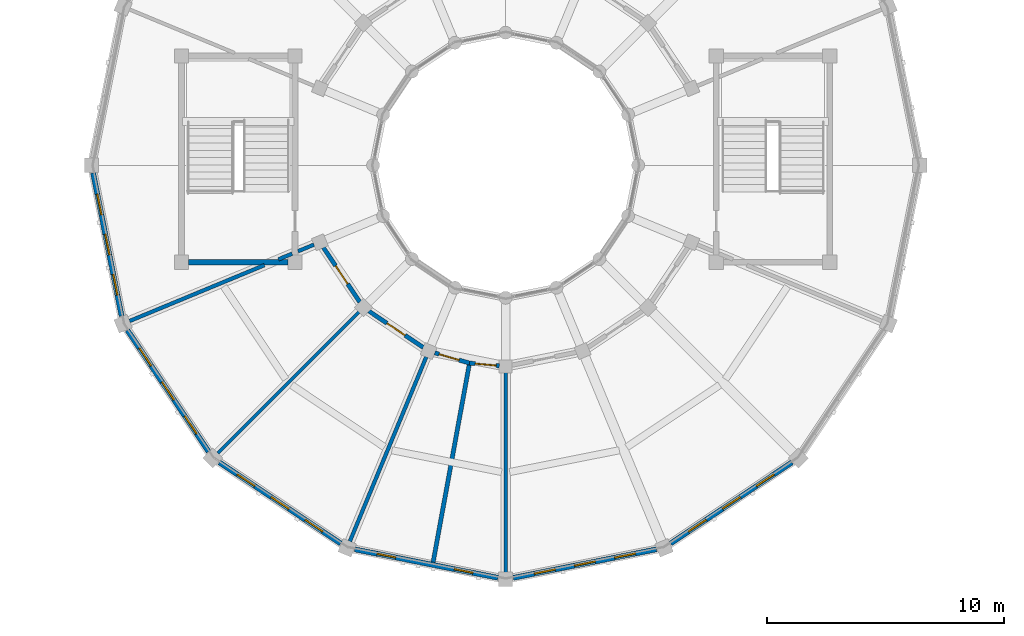
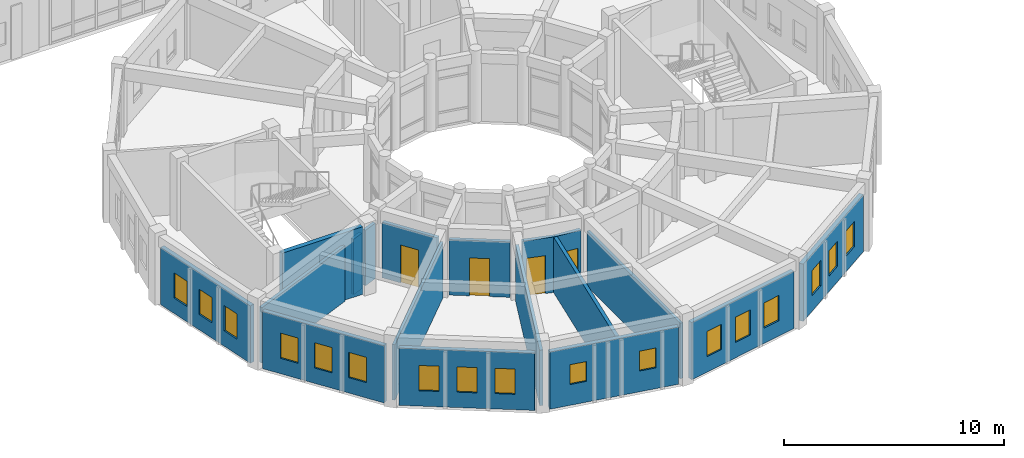
# One storey, part 73 of 112: 18 walls, 17 windows, 4 doors, 21 openings.
"""IFC4 building model written with IfcOpenShell, lengths in metres."""

import ifcopenshell
import ifcopenshell.guid

model = None  # the IFC model being written
_history = None  # IfcOwnerHistory: only IFC2X3 demands one
_inside = {}  # id of a spatial element -> (the spatial element, [elements in it])
_under = {}  # id of a project, library or spatial element -> (it, [spatial elements below it])
_declared = {}  # id of a project -> (the project, [libraries it declares])
_typed = {}  # id of a type object -> (the type object, [elements of that type])
_made_of = {}  # id of a material, layer set ... -> (it, [elements and type objects made of it])


def new_model(schema):
    """Start an empty IFC model of exactly this schema.

    Asked for "IFC4X3", IfcOpenShell would pick the latest addendum, in which some entities
    have other attributes; the version numbers below select the first issue.
    IFC2X3 requires an IfcOwnerHistory on every rooted entity: one is made here for all.
    """
    global model, _history
    if schema == "IFC4X3":
        model = ifcopenshell.file(schema_version=(4, 3, 0, 0))
    else:
        model = ifcopenshell.file(schema=schema)
    _inside.clear()
    _under.clear()
    _declared.clear()
    _typed.clear()
    _made_of.clear()
    _history = None
    if model.schema == "IFC2X3":
        org = make("IfcOrganization", Name="unknown")
        user = make(
            "IfcPersonAndOrganization",
            ThePerson=make("IfcPerson", FamilyName="unknown"),
            TheOrganization=org,
        )
        app = make(
            "IfcApplication",
            ApplicationDeveloper=org,
            Version="unknown",
            ApplicationFullName="unknown",
            ApplicationIdentifier="unknown",
        )
        _history = make(
            "IfcOwnerHistory",
            OwningUser=user,
            OwningApplication=app,
            ChangeAction="ADDED",
            CreationDate=0,
        )
    return model


def make(cls, **values):
    """One entity of the class cls with the attributes given. An attribute that is None is left unset."""
    return model.create_entity(
        cls, **{name: value for name, value in values.items() if value is not None}
    )


def rooted(cls, **values):
    """An entity with a GlobalId (a new one), such as an element, a storey or a relation."""
    return make(cls, GlobalId=ifcopenshell.guid.new(), OwnerHistory=_history, **values)


def si_unit(unit_type, name, prefix=None):
    """IfcSIUnit, for example si_unit("LENGTHUNIT", "METRE", prefix="MILLI")."""
    return make("IfcSIUnit", UnitType=unit_type, Prefix=prefix, Name=name)


def assignment(units):
    """IfcUnitAssignment: the units of a project."""
    return None if units is None else make("IfcUnitAssignment", Units=units)


def point(xyz):
    """IfcCartesianPoint."""
    return None if xyz is None else make("IfcCartesianPoint", Coordinates=xyz)


def direction(xyz):
    """IfcDirection."""
    return None if xyz is None else make("IfcDirection", DirectionRatios=xyz)


def frame(location, z_axis=None, x_axis=None):
    """IfcAxis2Placement3D, a coordinate frame: its origin and axes. An axis left out is left unset."""
    return make(
        "IfcAxis2Placement3D",
        Location=point(location),
        Axis=direction(z_axis),
        RefDirection=direction(x_axis),
    )


def frame_2d(location, x_axis=None):
    """IfcAxis2Placement2D, a coordinate frame in the plane: its origin and x axis."""
    return make(
        "IfcAxis2Placement2D", Location=point(location), RefDirection=direction(x_axis)
    )


def origin():
    """The frame at (0, 0, 0) with its axes left unset."""
    return frame((0.0, 0.0, 0.0))


def place(relative_to, where):
    """IfcLocalPlacement: puts the frame where relative to a parent placement (None: the world)."""
    return make(
        "IfcLocalPlacement", PlacementRelTo=relative_to, RelativePlacement=where
    )


def context(
    kind, dimensions, precision=None, world=None, true_north=None, identifier=None
):
    """IfcGeometricRepresentationContext, for example the 3D "Model" context."""
    return make(
        "IfcGeometricRepresentationContext",
        ContextIdentifier=identifier,
        ContextType=kind,
        CoordinateSpaceDimension=dimensions,
        Precision=precision,
        WorldCoordinateSystem=world,
        TrueNorth=true_north,
    )


def subcontext(parent, identifier, kind, view, scale=None):
    """IfcGeometricRepresentationSubContext, for example "Body" below "Model"."""
    return make(
        "IfcGeometricRepresentationSubContext",
        ContextIdentifier=identifier,
        ContextType=kind,
        ParentContext=parent,
        TargetScale=scale,
        TargetView=view,
    )


def project(units=None, contexts=None):
    """IfcProject with its units and contexts."""
    return rooted(
        "IfcProject",
        Name="project",
        RepresentationContexts=contexts,
        UnitsInContext=assignment(units),
    )


def spatial(cls, under=None, at=None, **own):
    """A site, building, storey or space (cls), placed at a placement, below another one or the project."""
    s = rooted(cls, ObjectPlacement=at, **own)
    if under is not None:
        _under.setdefault(under.id(), (under, []))[1].append(s)
    return s


def profile(cls, at=None, kind="AREA", **sizes):
    """A parametric profile (cls). Its sizes go by their IFC names, for example OverallWidth=200.0."""
    return make(cls, ProfileType=kind, Position=at, **sizes)


def rectangle(**sizes):
    """IfcRectangleProfileDef."""
    return profile("IfcRectangleProfileDef", **sizes)


def extrude(swept, where, along, depth):
    """IfcExtrudedAreaSolid: the profile swept, set in the frame where, extruded along a direction by depth."""
    return make(
        "IfcExtrudedAreaSolid",
        SweptArea=swept,
        Position=where,
        ExtrudedDirection=direction(along),
        Depth=depth,
    )


def shape(context_of_items, identifier, shape_type, items):
    """IfcShapeRepresentation: the items that make up one representation, for example the "Body"."""
    return make(
        "IfcShapeRepresentation",
        ContextOfItems=context_of_items,
        RepresentationIdentifier=identifier,
        RepresentationType=shape_type,
        Items=items,
    )


def material(Name=None, Category=None):
    """IfcMaterial."""
    return make("IfcMaterial", Name=Name, Category=Category)


def layer(
    of_material, thickness, ventilated=None, Name=None, Category=None, Priority=None
):
    """IfcMaterialLayer: one layer of a wall or slab, of a material (None: an air gap)."""
    return make(
        "IfcMaterialLayer",
        Material=of_material,
        LayerThickness=thickness,
        IsVentilated=ventilated,
        Name=Name,
        Category=Category,
        Priority=Priority,
    )


def layer_set(layers, Name=None):
    """IfcMaterialLayerSet."""
    return make("IfcMaterialLayerSet", MaterialLayers=layers, LayerSetName=Name)


def made_of(thing, what):
    """Note that an element or type object is made of a material, layer set ...; save() writes the relation."""
    if what is not None:
        _made_of.setdefault(what.id(), (what, []))[1].append(thing)
    return thing


def type_object(cls, material=None, **own):
    """A type object (cls), such as IfcWallType, which elements share."""
    return made_of(rooted(cls, **own), material)


def element(
    cls,
    number,
    at=None,
    inside=None,
    cuts=None,
    type_object=None,
    material=None,
    context=None,
    identifier="Body",
    shape_type=None,
    held_by="IfcProductDefinitionShape",
    body=None,
    shapes=None,
    **own,
):
    """One element of the class cls, such as IfcWall. Its Tag is "e" and its number.

    at: its placement. inside: the storey or other place that contains it. cuts: it is an
    opening in that element (IfcRelVoidsElement). A single representation is given by context,
    identifier, shape_type and body (its items); several are given by shapes. held_by: the class
    of the entity that holds the representations. save() writes the other relations.
    """
    e = rooted(cls, Tag="e%d" % number, ObjectPlacement=at, **own)
    if body is not None:
        shapes = [shape(context, identifier, shape_type, body)]
    if shapes is not None:
        e.Representation = make(held_by, Representations=shapes)
    if inside is not None:
        _inside.setdefault(inside.id(), (inside, []))[1].append(e)
    if cuts is not None:
        rooted(
            "IfcRelVoidsElement", RelatingBuildingElement=cuts, RelatedOpeningElement=e
        )
    if type_object is not None:
        _typed.setdefault(type_object.id(), (type_object, []))[1].append(e)
    return made_of(e, material)


def fill(opening, filler):
    """IfcRelFillsElement: the door or window that sits in an opening."""
    return rooted(
        "IfcRelFillsElement",
        RelatingOpeningElement=opening,
        RelatedBuildingElement=filler,
    )


def aggregate(whole, parts):
    """IfcRelAggregates: a whole, such as a stair, and the parts it consists of."""
    return rooted("IfcRelAggregates", RelatingObject=whole, RelatedObjects=parts)


def save(model, path):
    """Write the relations noted so far, then the file.

    IfcRelAggregates (storeys below a building ...), IfcRelContainedInSpatialStructure (elements
    in a storey), IfcRelDefinesByType, IfcRelAssociatesMaterial and IfcRelDeclares: one each for
    every whole, place, type object, material and project.
    """
    for whole, parts in _under.values():
        aggregate(whole, parts)
    for where, things in _inside.values():
        rooted(
            "IfcRelContainedInSpatialStructure",
            RelatedElements=things,
            RelatingStructure=where,
        )
    for kind, things in _typed.values():
        rooted("IfcRelDefinesByType", RelatedObjects=things, RelatingType=kind)
    for what, things in _made_of.values():
        rooted("IfcRelAssociatesMaterial", RelatedObjects=things, RelatingMaterial=what)
    for by, libraries in _declared.values():
        rooted("IfcRelDeclares", RelatingContext=by, RelatedDefinitions=libraries)
    model.write(path)


model = new_model("IFC4")

# Units and contexts
model_context = context("Model", 3, precision=1e-05, world=origin(), true_north=direction((0.0, 1.0)))
body_context = subcontext(model_context, "Body", "Model", "MODEL_VIEW")
ifc_project = project(units=[si_unit("LENGTHUNIT", "METRE"), si_unit("AREAUNIT", "SQUARE_METRE"), si_unit("VOLUMEUNIT", "CUBIC_METRE"), si_unit("PLANEANGLEUNIT", "RADIAN"), si_unit("MASSUNIT", "GRAM", prefix="KILO")], contexts=[model_context])

# Site, building, storey
site_placement = place(None, origin())
site = spatial("IfcSite", under=ifc_project, at=site_placement, CompositionType="ELEMENT")
building_placement = place(site_placement, origin())
building = spatial("IfcBuilding", under=site, at=building_placement, Name="Celadon Cloister-Ring School", CompositionType="ELEMENT")
storey_placement = place(building_placement, frame((0.0, 0.0, 8.5)))
storey = spatial("IfcBuildingStorey", under=building, at=storey_placement, Name="L02", CompositionType="ELEMENT", Elevation=8.5)

# Wall, openings, windows
ifc_material_1 = material(Name="Perforated terracotta clay brick masonry", Category="masonry")
ifc_layer_1 = layer(ifc_material_1, 0.219970703125)
ifc_layer_set_1 = layer_set([ifc_layer_1], Name="Perforated terracotta clay brick masonry")
wall_type_1 = type_object("IfcWallType", Name="WT-EX4", PredefinedType="SOLIDWALL", material=ifc_layer_set_1)
wall_1_placement = place(storey_placement, frame((3.968017578125, 13.6259765625, 0.0), z_axis=(0.0, 0.0, 1.0), x_axis=(-0.195164813773, 0.980770460131, 0.0)))
wall_1 = element("IfcWall", 1, at=wall_1_placement, inside=storey, type_object=wall_type_1, Name="Exterior Wall 0341", PredefinedType="SOLIDWALL", context=body_context, shape_type="SweptSolid", body=[
    extrude(rectangle(XDim=6.169677734375, YDim=0.219970703125, at=frame_2d((3.0849609375, 0.0))), origin(), (0.0, 0.0, 1.0), 3.172119140625),
])
opening_1_placement = place(wall_1_placement, frame((0.906982421875, 0.0, 0.85009765625)))
opening_1 = element("IfcOpeningElement", 2, at=opening_1_placement, cuts=wall_1, Name="Opening WN-21", PredefinedType="OPENING", context=body_context, shape_type="SweptSolid", body=[
    extrude(rectangle(XDim=0.89990234375, YDim=1.39990234375, at=frame_2d((0.449951171875, 0.699951171875))), frame((0.0, 0.1201171875, 0.0), z_axis=(0.0, -1.0, 0.0), x_axis=(1.0, 0.0, 0.0)), (0.0, 0.0, 1.0), 0.239990234375),
])
opening_2_placement = place(wall_1_placement, frame((2.635009765625, 0.0, 0.85009765625)))
opening_2 = element("IfcOpeningElement", 3, at=opening_2_placement, cuts=wall_1, Name="Opening WN-21", PredefinedType="OPENING", context=body_context, shape_type="SweptSolid", body=[
    extrude(rectangle(XDim=0.89990234375, YDim=1.39990234375, at=frame_2d((0.449951171875, 0.699951171875))), frame((0.0, 0.1201171875, 0.0), z_axis=(0.0, -1.0, 0.0), x_axis=(1.0, 0.0, 0.0)), (0.0, 0.0, 1.0), 0.239990234375),
])
opening_3_placement = place(wall_1_placement, frame((4.362060546875, 0.0, 0.85009765625)))
opening_3 = element("IfcOpeningElement", 4, at=opening_3_placement, cuts=wall_1, Name="Opening WN-21", PredefinedType="OPENING", context=body_context, shape_type="SweptSolid", body=[
    extrude(rectangle(XDim=0.89990234375, YDim=1.39990234375, at=frame_2d((0.449951171875, 0.699951171875))), frame((0.0, 0.1201171875, 0.0), z_axis=(0.0, -1.0, 0.0), x_axis=(1.0, 0.0, 0.0)), (0.0, 0.0, 1.0), 0.239990234375),
])
ifc_material_2 = material(Name="Tempered laminated insulating glass", Category="glass")
window_type_1 = type_object("IfcWindowType", Name="WN-21", PartitioningType="SINGLE_PANEL", PredefinedType="WINDOW", material=ifc_material_2)
window_1_placement = place(opening_1_placement, origin())
window_1 = element("IfcWindow", 5, at=window_1_placement, inside=storey, type_object=window_type_1, Name="Window 0875", OverallHeight=1.39990234375, OverallWidth=0.89990234375, PartitioningType="SINGLE_PANEL", PredefinedType="WINDOW", context=body_context, shape_type="SweptSolid", body=[
    extrude(rectangle(XDim=0.89990234375, YDim=1.39990234375, at=frame_2d((0.449951171875, 0.699951171875))), frame((0.0, 0.030029296875, 0.0), z_axis=(0.0, -1.0, 0.0), x_axis=(1.0, 0.0, 0.0)), (0.0, 0.0, 1.0), 0.06005859375),
])
fill(opening_1, window_1)
window_2_placement = place(opening_2_placement, origin())
window_2 = element("IfcWindow", 6, at=window_2_placement, inside=storey, type_object=window_type_1, Name="Window 0876", OverallHeight=1.39990234375, OverallWidth=0.89990234375, PartitioningType="SINGLE_PANEL", PredefinedType="WINDOW", context=body_context, shape_type="SweptSolid", body=[
    extrude(rectangle(XDim=0.89990234375, YDim=1.39990234375, at=frame_2d((0.449951171875, 0.699951171875))), frame((0.0, 0.030029296875, 0.0), z_axis=(0.0, -1.0, 0.0), x_axis=(1.0, 0.0, 0.0)), (0.0, 0.0, 1.0), 0.06005859375),
])
fill(opening_2, window_2)
window_3_placement = place(opening_3_placement, origin())
window_3 = element("IfcWindow", 7, at=window_3_placement, inside=storey, type_object=window_type_1, Name="Window 0877", OverallHeight=1.39990234375, OverallWidth=0.89990234375, PartitioningType="SINGLE_PANEL", PredefinedType="WINDOW", context=body_context, shape_type="SweptSolid", body=[
    extrude(rectangle(XDim=0.89990234375, YDim=1.39990234375, at=frame_2d((0.449951171875, 0.699951171875))), frame((0.0, 0.030029296875, 0.0), z_axis=(0.0, -1.0, 0.0), x_axis=(1.0, 0.0, 0.0)), (0.0, 0.0, 1.0), 0.06005859375),
])
fill(opening_3, window_3)

wall_2_placement = place(storey_placement, frame((7.64306640625, 7.89990234375, 0.0), z_axis=(0.0, 0.0, 1.0), x_axis=(-0.555658736667, 0.831410469242, 0.0)))
wall_2 = element("IfcWall", 8, at=wall_2_placement, inside=storey, type_object=wall_type_1, Name="Exterior Wall 0342", PredefinedType="SOLIDWALL", context=body_context, shape_type="SweptSolid", body=[
    extrude(rectangle(XDim=6.169189453125, YDim=0.219970703125, at=frame_2d((3.08447265625, 0.0))), origin(), (0.0, 0.0, 1.0), 3.172119140625),
])
opening_4_placement = place(wall_2_placement, frame((0.906982421875, 0.0, 0.85009765625)))
opening_4 = element("IfcOpeningElement", 9, at=opening_4_placement, cuts=wall_2, Name="Opening WN-21", PredefinedType="OPENING", context=body_context, shape_type="SweptSolid", body=[
    extrude(rectangle(XDim=0.89990234375, YDim=1.39990234375, at=frame_2d((0.449951171875, 0.699951171875))), frame((0.0, 0.1201171875, 0.0), z_axis=(0.0, -1.0, 0.0), x_axis=(1.0, 0.0, 0.0)), (0.0, 0.0, 1.0), 0.239990234375),
])
opening_5_placement = place(wall_2_placement, frame((2.635009765625, 0.0, 0.85009765625)))
opening_5 = element("IfcOpeningElement", 10, at=opening_5_placement, cuts=wall_2, Name="Opening WN-21", PredefinedType="OPENING", context=body_context, shape_type="SweptSolid", body=[
    extrude(rectangle(XDim=0.89990234375, YDim=1.39990234375, at=frame_2d((0.449951171875, 0.699951171875))), frame((0.0, 0.1201171875, 0.0), z_axis=(0.0, -1.0, 0.0), x_axis=(1.0, 0.0, 0.0)), (0.0, 0.0, 1.0), 0.239990234375),
])
opening_6_placement = place(wall_2_placement, frame((4.362060546875, 0.0, 0.85009765625)))
opening_6 = element("IfcOpeningElement", 11, at=opening_6_placement, cuts=wall_2, Name="Opening WN-21", PredefinedType="OPENING", context=body_context, shape_type="SweptSolid", body=[
    extrude(rectangle(XDim=0.89990234375, YDim=1.39990234375, at=frame_2d((0.449951171875, 0.699951171875))), frame((0.0, 0.1201171875, 0.0), z_axis=(0.0, -1.0, 0.0), x_axis=(1.0, 0.0, 0.0)), (0.0, 0.0, 1.0), 0.239990234375),
])
window_4_placement = place(opening_4_placement, origin())
window_4 = element("IfcWindow", 12, at=window_4_placement, inside=storey, type_object=window_type_1, Name="Window 0878", OverallHeight=1.39990234375, OverallWidth=0.89990234375, PartitioningType="SINGLE_PANEL", PredefinedType="WINDOW", context=body_context, shape_type="SweptSolid", body=[
    extrude(rectangle(XDim=0.89990234375, YDim=1.39990234375, at=frame_2d((0.449951171875, 0.699951171875))), frame((0.0, 0.030029296875, 0.0), z_axis=(0.0, -1.0, 0.0), x_axis=(1.0, 0.0, 0.0)), (0.0, 0.0, 1.0), 0.06005859375),
])
fill(opening_4, window_4)
window_5_placement = place(opening_5_placement, origin())
window_5 = element("IfcWindow", 13, at=window_5_placement, inside=storey, type_object=window_type_1, Name="Window 0879", OverallHeight=1.39990234375, OverallWidth=0.89990234375, PartitioningType="SINGLE_PANEL", PredefinedType="WINDOW", context=body_context, shape_type="SweptSolid", body=[
    extrude(rectangle(XDim=0.89990234375, YDim=1.39990234375, at=frame_2d((0.449951171875, 0.699951171875))), frame((0.0, 0.030029296875, 0.0), z_axis=(0.0, -1.0, 0.0), x_axis=(1.0, 0.0, 0.0)), (0.0, 0.0, 1.0), 0.06005859375),
])
fill(opening_5, window_5)
window_6_placement = place(opening_6_placement, origin())
window_6 = element("IfcWindow", 14, at=window_6_placement, inside=storey, type_object=window_type_1, Name="Window 0880", OverallHeight=1.39990234375, OverallWidth=0.89990234375, PartitioningType="SINGLE_PANEL", PredefinedType="WINDOW", context=body_context, shape_type="SweptSolid", body=[
    extrude(rectangle(XDim=0.89990234375, YDim=1.39990234375, at=frame_2d((0.449951171875, 0.699951171875))), frame((0.0, 0.030029296875, 0.0), z_axis=(0.0, -1.0, 0.0), x_axis=(1.0, 0.0, 0.0)), (0.0, 0.0, 1.0), 0.06005859375),
])
fill(opening_6, window_6)

wall_3_placement = place(storey_placement, frame((13.22900390625, 4.014892578125, 0.0), z_axis=(0.0, 0.0, 1.0), x_axis=(-0.831379966495, 0.555704374025, 0.0)))
wall_3 = element("IfcWall", 15, at=wall_3_placement, inside=storey, type_object=wall_type_1, Name="Exterior Wall 0343", PredefinedType="SOLIDWALL", context=body_context, shape_type="SweptSolid", body=[
    extrude(rectangle(XDim=6.169189453125, YDim=0.219970703125, at=frame_2d((3.08447265625, 0.0))), origin(), (0.0, 0.0, 1.0), 3.172119140625),
])
opening_7_placement = place(wall_3_placement, frame((0.906982421875, 0.0, 0.85009765625)))
opening_7 = element("IfcOpeningElement", 16, at=opening_7_placement, cuts=wall_3, Name="Opening WN-21", PredefinedType="OPENING", context=body_context, shape_type="SweptSolid", body=[
    extrude(rectangle(XDim=0.89990234375, YDim=1.39990234375, at=frame_2d((0.449951171875, 0.699951171875))), frame((0.0, 0.1201171875, 0.0), z_axis=(0.0, -1.0, 0.0), x_axis=(1.0, 0.0, 0.0)), (0.0, 0.0, 1.0), 0.239990234375),
])
opening_8_placement = place(wall_3_placement, frame((2.635009765625, 0.0, 0.85009765625)))
opening_8 = element("IfcOpeningElement", 17, at=opening_8_placement, cuts=wall_3, Name="Opening WN-21", PredefinedType="OPENING", context=body_context, shape_type="SweptSolid", body=[
    extrude(rectangle(XDim=0.89990234375, YDim=1.39990234375, at=frame_2d((0.449951171875, 0.699951171875))), frame((0.0, 0.1201171875, 0.0), z_axis=(0.0, -1.0, 0.0), x_axis=(1.0, 0.0, 0.0)), (0.0, 0.0, 1.0), 0.239990234375),
])
opening_9_placement = place(wall_3_placement, frame((4.362060546875, 0.0, 0.85009765625)))
opening_9 = element("IfcOpeningElement", 18, at=opening_9_placement, cuts=wall_3, Name="Opening WN-21", PredefinedType="OPENING", context=body_context, shape_type="SweptSolid", body=[
    extrude(rectangle(XDim=0.89990234375, YDim=1.39990234375, at=frame_2d((0.449951171875, 0.699951171875))), frame((0.0, 0.1201171875, 0.0), z_axis=(0.0, -1.0, 0.0), x_axis=(1.0, 0.0, 0.0)), (0.0, 0.0, 1.0), 0.239990234375),
])
window_7_placement = place(opening_7_placement, origin())
window_7 = element("IfcWindow", 19, at=window_7_placement, inside=storey, type_object=window_type_1, Name="Window 0881", OverallHeight=1.39990234375, OverallWidth=0.89990234375, PartitioningType="SINGLE_PANEL", PredefinedType="WINDOW", context=body_context, shape_type="SweptSolid", body=[
    extrude(rectangle(XDim=0.89990234375, YDim=1.39990234375, at=frame_2d((0.449951171875, 0.699951171875))), frame((0.0, 0.030029296875, 0.0), z_axis=(0.0, -1.0, 0.0), x_axis=(1.0, 0.0, 0.0)), (0.0, 0.0, 1.0), 0.06005859375),
])
fill(opening_7, window_7)
window_8_placement = place(opening_8_placement, origin())
window_8 = element("IfcWindow", 20, at=window_8_placement, inside=storey, type_object=window_type_1, Name="Window 0882", OverallHeight=1.39990234375, OverallWidth=0.89990234375, PartitioningType="SINGLE_PANEL", PredefinedType="WINDOW", context=body_context, shape_type="SweptSolid", body=[
    extrude(rectangle(XDim=0.89990234375, YDim=1.39990234375, at=frame_2d((0.449951171875, 0.699951171875))), frame((0.0, 0.030029296875, 0.0), z_axis=(0.0, -1.0, 0.0), x_axis=(1.0, 0.0, 0.0)), (0.0, 0.0, 1.0), 0.06005859375),
])
fill(opening_8, window_8)
window_9_placement = place(opening_9_placement, origin())
window_9 = element("IfcWindow", 21, at=window_9_placement, inside=storey, type_object=window_type_1, Name="Window 0883", OverallHeight=1.39990234375, OverallWidth=0.89990234375, PartitioningType="SINGLE_PANEL", PredefinedType="WINDOW", context=body_context, shape_type="SweptSolid", body=[
    extrude(rectangle(XDim=0.89990234375, YDim=1.39990234375, at=frame_2d((0.449951171875, 0.699951171875))), frame((0.0, 0.030029296875, 0.0), z_axis=(0.0, -1.0, 0.0), x_axis=(1.0, 0.0, 0.0)), (0.0, 0.0, 1.0), 0.06005859375),
])
fill(opening_9, window_9)

wall_4_placement = place(storey_placement, frame((19.876953125, 2.56396484375, 0.0), z_axis=(0.0, 0.0, 1.0), x_axis=(-0.980770460131, 0.195164813773, 0.0)))
wall_4 = element("IfcWall", 22, at=wall_4_placement, inside=storey, type_object=wall_type_1, Name="Exterior Wall 0345", PredefinedType="SOLIDWALL", context=body_context, shape_type="SweptSolid", body=[
    extrude(rectangle(XDim=6.169677734375, YDim=0.219970703125, at=frame_2d((3.0849609375, 0.0))), origin(), (0.0, 0.0, 1.0), 3.172119140625),
])
opening_10_placement = place(wall_4_placement, frame((1.0810546875, 0.0, 1.14990234375)))
opening_10 = element("IfcOpeningElement", 23, at=opening_10_placement, cuts=wall_4, Name="Opening WN-01", PredefinedType="OPENING", context=body_context, shape_type="SweptSolid", body=[
    extrude(rectangle(XDim=0.800048828125, YDim=1.10009765625, at=frame_2d((0.39990234375, 0.550048828125))), frame((0.0, 0.1201171875, 0.0), z_axis=(0.0, -1.0, 0.0), x_axis=(1.0, 0.0, 0.0)), (0.0, 0.0, 1.0), 0.239990234375),
])
opening_11_placement = place(wall_4_placement, frame((4.412109375, 0.0, 1.14990234375)))
opening_11 = element("IfcOpeningElement", 24, at=opening_11_placement, cuts=wall_4, Name="Opening WN-01", PredefinedType="OPENING", context=body_context, shape_type="SweptSolid", body=[
    extrude(rectangle(XDim=0.800048828125, YDim=1.10009765625, at=frame_2d((0.39990234375, 0.550048828125))), frame((0.0, 0.1201171875, 0.0), z_axis=(0.0, -1.0, 0.0), x_axis=(1.0, 0.0, 0.0)), (0.0, 0.0, 1.0), 0.239990234375),
])
ifc_material_3 = material(Name="Tempered laminated insulating glass", Category="glass")
window_type_2 = type_object("IfcWindowType", Name="WN-01", PartitioningType="SINGLE_PANEL", PredefinedType="WINDOW", material=ifc_material_3)
window_10_placement = place(opening_10_placement, origin())
window_10 = element("IfcWindow", 25, at=window_10_placement, inside=storey, type_object=window_type_2, Name="Window 0884", OverallHeight=1.10009765625, OverallWidth=0.800048828125, PartitioningType="SINGLE_PANEL", PredefinedType="WINDOW", context=body_context, shape_type="SweptSolid", body=[
    extrude(rectangle(XDim=0.800048828125, YDim=1.10009765625, at=frame_2d((0.39990234375, 0.550048828125))), frame((0.0, 0.030029296875, 0.0), z_axis=(0.0, -1.0, 0.0), x_axis=(1.0, 0.0, 0.0)), (0.0, 0.0, 1.0), 0.06005859375),
])
fill(opening_10, window_10)
window_11_placement = place(opening_11_placement, origin())
window_11 = element("IfcWindow", 26, at=window_11_placement, inside=storey, type_object=window_type_2, Name="Window 0885", OverallHeight=1.10009765625, OverallWidth=0.800048828125, PartitioningType="SINGLE_PANEL", PredefinedType="WINDOW", context=body_context, shape_type="SweptSolid", body=[
    extrude(rectangle(XDim=0.800048828125, YDim=1.10009765625, at=frame_2d((0.39990234375, 0.550048828125))), frame((0.0, 0.030029296875, 0.0), z_axis=(0.0, -1.0, 0.0), x_axis=(1.0, 0.0, 0.0)), (0.0, 0.0, 1.0), 0.06005859375),
])
fill(opening_11, window_11)

wall_5_placement = place(storey_placement, frame((26.573974609375, 3.76806640625, 0.0), z_axis=(0.0, 0.0, 1.0), x_axis=(-0.980770460131, -0.195164813773, 0.0)))
wall_5 = element("IfcWall", 27, at=wall_5_placement, inside=storey, type_object=wall_type_1, Name="Exterior Wall 0346", PredefinedType="SOLIDWALL", context=body_context, shape_type="SweptSolid", body=[
    extrude(rectangle(XDim=6.169677734375, YDim=0.219970703125, at=frame_2d((3.0849609375, 0.0))), origin(), (0.0, 0.0, 1.0), 3.172119140625),
])
opening_12_placement = place(wall_5_placement, frame((0.906982421875, 0.0, 0.85009765625)))
opening_12 = element("IfcOpeningElement", 28, at=opening_12_placement, cuts=wall_5, Name="Opening WN-21", PredefinedType="OPENING", context=body_context, shape_type="SweptSolid", body=[
    extrude(rectangle(XDim=0.89990234375, YDim=1.39990234375, at=frame_2d((0.449951171875, 0.699951171875))), frame((0.0, 0.1201171875, 0.0), z_axis=(0.0, -1.0, 0.0), x_axis=(1.0, 0.0, 0.0)), (0.0, 0.0, 1.0), 0.239990234375),
])
opening_13_placement = place(wall_5_placement, frame((2.635009765625, 0.0, 0.85009765625)))
opening_13 = element("IfcOpeningElement", 29, at=opening_13_placement, cuts=wall_5, Name="Opening WN-21", PredefinedType="OPENING", context=body_context, shape_type="SweptSolid", body=[
    extrude(rectangle(XDim=0.89990234375, YDim=1.39990234375, at=frame_2d((0.449951171875, 0.699951171875))), frame((0.0, 0.1201171875, 0.0), z_axis=(0.0, -1.0, 0.0), x_axis=(1.0, 0.0, 0.0)), (0.0, 0.0, 1.0), 0.239990234375),
])
opening_14_placement = place(wall_5_placement, frame((4.362060546875, 0.0, 0.85009765625)))
opening_14 = element("IfcOpeningElement", 30, at=opening_14_placement, cuts=wall_5, Name="Opening WN-21", PredefinedType="OPENING", context=body_context, shape_type="SweptSolid", body=[
    extrude(rectangle(XDim=0.89990234375, YDim=1.39990234375, at=frame_2d((0.449951171875, 0.699951171875))), frame((0.0, 0.1201171875, 0.0), z_axis=(0.0, -1.0, 0.0), x_axis=(1.0, 0.0, 0.0)), (0.0, 0.0, 1.0), 0.239990234375),
])
window_12_placement = place(opening_12_placement, origin())
window_12 = element("IfcWindow", 31, at=window_12_placement, inside=storey, type_object=window_type_1, Name="Window 0886", OverallHeight=1.39990234375, OverallWidth=0.89990234375, PartitioningType="SINGLE_PANEL", PredefinedType="WINDOW", context=body_context, shape_type="SweptSolid", body=[
    extrude(rectangle(XDim=0.89990234375, YDim=1.39990234375, at=frame_2d((0.449951171875, 0.699951171875))), frame((0.0, 0.030029296875, 0.0), z_axis=(0.0, -1.0, 0.0), x_axis=(1.0, 0.0, 0.0)), (0.0, 0.0, 1.0), 0.06005859375),
])
fill(opening_12, window_12)
window_13_placement = place(opening_13_placement, origin())
window_13 = element("IfcWindow", 32, at=window_13_placement, inside=storey, type_object=window_type_1, Name="Window 0887", OverallHeight=1.39990234375, OverallWidth=0.89990234375, PartitioningType="SINGLE_PANEL", PredefinedType="WINDOW", context=body_context, shape_type="SweptSolid", body=[
    extrude(rectangle(XDim=0.89990234375, YDim=1.39990234375, at=frame_2d((0.449951171875, 0.699951171875))), frame((0.0, 0.030029296875, 0.0), z_axis=(0.0, -1.0, 0.0), x_axis=(1.0, 0.0, 0.0)), (0.0, 0.0, 1.0), 0.06005859375),
])
fill(opening_13, window_13)
window_14_placement = place(opening_14_placement, origin())
window_14 = element("IfcWindow", 33, at=window_14_placement, inside=storey, type_object=window_type_1, Name="Window 0888", OverallHeight=1.39990234375, OverallWidth=0.89990234375, PartitioningType="SINGLE_PANEL", PredefinedType="WINDOW", context=body_context, shape_type="SweptSolid", body=[
    extrude(rectangle(XDim=0.89990234375, YDim=1.39990234375, at=frame_2d((0.449951171875, 0.699951171875))), frame((0.0, 0.030029296875, 0.0), z_axis=(0.0, -1.0, 0.0), x_axis=(1.0, 0.0, 0.0)), (0.0, 0.0, 1.0), 0.06005859375),
])
fill(opening_14, window_14)

wall_6_placement = place(storey_placement, frame((32.300048828125, 7.443115234375, 0.0), z_axis=(0.0, 0.0, 1.0), x_axis=(-0.831392186772, -0.55568609104, 0.0)))
wall_6 = element("IfcWall", 34, at=wall_6_placement, inside=storey, type_object=wall_type_1, Name="Exterior Wall 0347", PredefinedType="SOLIDWALL", context=body_context, shape_type="SweptSolid", body=[
    extrude(rectangle(XDim=6.16943359375, YDim=0.219970703125, at=frame_2d((3.084716796875, 0.0))), origin(), (0.0, 0.0, 1.0), 3.172119140625),
])
opening_15_placement = place(wall_6_placement, frame((0.906982421875, 0.0, 0.85009765625)))
opening_15 = element("IfcOpeningElement", 35, at=opening_15_placement, cuts=wall_6, Name="Opening WN-21", PredefinedType="OPENING", context=body_context, shape_type="SweptSolid", body=[
    extrude(rectangle(XDim=0.89990234375, YDim=1.39990234375, at=frame_2d((0.449951171875, 0.699951171875))), frame((0.0, 0.1201171875, 0.0), z_axis=(0.0, -1.0, 0.0), x_axis=(1.0, 0.0, 0.0)), (0.0, 0.0, 1.0), 0.239990234375),
])
opening_16_placement = place(wall_6_placement, frame((2.635009765625, 0.0, 0.85009765625)))
opening_16 = element("IfcOpeningElement", 36, at=opening_16_placement, cuts=wall_6, Name="Opening WN-21", PredefinedType="OPENING", context=body_context, shape_type="SweptSolid", body=[
    extrude(rectangle(XDim=0.89990234375, YDim=1.39990234375, at=frame_2d((0.449951171875, 0.699951171875))), frame((0.0, 0.1201171875, 0.0), z_axis=(0.0, -1.0, 0.0), x_axis=(1.0, 0.0, 0.0)), (0.0, 0.0, 1.0), 0.239990234375),
])
opening_17_placement = place(wall_6_placement, frame((4.362060546875, 0.0, 0.85009765625)))
opening_17 = element("IfcOpeningElement", 37, at=opening_17_placement, cuts=wall_6, Name="Opening WN-21", PredefinedType="OPENING", context=body_context, shape_type="SweptSolid", body=[
    extrude(rectangle(XDim=0.89990234375, YDim=1.39990234375, at=frame_2d((0.449951171875, 0.699951171875))), frame((0.0, 0.1201171875, 0.0), z_axis=(0.0, -1.0, 0.0), x_axis=(1.0, 0.0, 0.0)), (0.0, 0.0, 1.0), 0.239990234375),
])
window_15_placement = place(opening_15_placement, origin())
window_15 = element("IfcWindow", 38, at=window_15_placement, inside=storey, type_object=window_type_1, Name="Window 0889", OverallHeight=1.39990234375, OverallWidth=0.89990234375, PartitioningType="SINGLE_PANEL", PredefinedType="WINDOW", context=body_context, shape_type="SweptSolid", body=[
    extrude(rectangle(XDim=0.89990234375, YDim=1.39990234375, at=frame_2d((0.449951171875, 0.699951171875))), frame((0.0, 0.030029296875, 0.0), z_axis=(0.0, -1.0, 0.0), x_axis=(1.0, 0.0, 0.0)), (0.0, 0.0, 1.0), 0.06005859375),
])
fill(opening_15, window_15)
window_16_placement = place(opening_16_placement, origin())
window_16 = element("IfcWindow", 39, at=window_16_placement, inside=storey, type_object=window_type_1, Name="Window 0890", OverallHeight=1.39990234375, OverallWidth=0.89990234375, PartitioningType="SINGLE_PANEL", PredefinedType="WINDOW", context=body_context, shape_type="SweptSolid", body=[
    extrude(rectangle(XDim=0.89990234375, YDim=1.39990234375, at=frame_2d((0.449951171875, 0.699951171875))), frame((0.0, 0.030029296875, 0.0), z_axis=(0.0, -1.0, 0.0), x_axis=(1.0, 0.0, 0.0)), (0.0, 0.0, 1.0), 0.06005859375),
])
fill(opening_16, window_16)
window_17_placement = place(opening_17_placement, origin())
window_17 = element("IfcWindow", 40, at=window_17_placement, inside=storey, type_object=window_type_1, Name="Window 0891", OverallHeight=1.39990234375, OverallWidth=0.89990234375, PartitioningType="SINGLE_PANEL", PredefinedType="WINDOW", context=body_context, shape_type="SweptSolid", body=[
    extrude(rectangle(XDim=0.89990234375, YDim=1.39990234375, at=frame_2d((0.449951171875, 0.699951171875))), frame((0.0, 0.030029296875, 0.0), z_axis=(0.0, -1.0, 0.0), x_axis=(1.0, 0.0, 0.0)), (0.0, 0.0, 1.0), 0.06005859375),
])
fill(opening_17, window_17)

# Wall
ifc_material_4 = material(Name="Plastered hollow concrete masonry", Category="masonry")
ifc_layer_2 = layer(ifc_material_4, 0.179931640625)
ifc_layer_set_2 = layer_set([ifc_layer_2], Name="Plastered hollow concrete masonry")
wall_type_2 = type_object("IfcWallType", Name="WT-PT2", PredefinedType="PARTITIONING", material=ifc_layer_set_2)
wall_7_placement = place(storey_placement, frame((18.673095703125, 11.637939453125, 0.0), z_axis=(0.0, 0.0, 1.0), x_axis=(-0.179734485707, -0.983715159306, 0.0)))
element("IfcWall", 41, at=wall_7_placement, inside=storey, type_object=wall_type_2, Name="Interior Wall 0835", PredefinedType="PARTITIONING", context=body_context, shape_type="SweptSolid", body=[
    extrude(rectangle(XDim=8.552001953125, YDim=0.179931640625, at=frame_2d((4.27587890625, 0.0))), origin(), (0.0, 0.0, 1.0), 3.072021484375),
])

# Wall, opening, door
wall_8_placement = place(storey_placement, frame((12.498046875, 16.52099609375, 0.0), z_axis=(0.0, 0.0, 1.0), x_axis=(0.555797002478, -0.831318045056, 0.0)))
wall_8 = element("IfcWall", 42, at=wall_8_placement, inside=storey, type_object=wall_type_2, Name="Interior Wall 0840", PredefinedType="PARTITIONING", context=body_context, shape_type="SweptSolid", body=[
    extrude(rectangle(XDim=2.772705078125, YDim=0.179931640625, at=frame_2d((1.38623046875, 0.0))), origin(), (0.0, 0.0, 1.0), 3.072021484375),
])
opening_18_placement = place(wall_8_placement, frame((0.926025390625, 0.0, 0.0)))
opening_18 = element("IfcOpeningElement", 43, at=opening_18_placement, cuts=wall_8, Name="Opening D-0304", PredefinedType="OPENING", context=body_context, shape_type="SweptSolid", body=[
    extrude(rectangle(XDim=0.919921875, YDim=2.10009765625, at=frame_2d((0.4599609375, 1.050048828125))), frame((0.0, 0.10009765625, 0.0), z_axis=(0.0, -1.0, 0.0), x_axis=(1.0, 0.0, 0.0)), (0.0, 0.0, 1.0), 0.199951171875),
])
ifc_material_5 = material(Name="Solid-core fire-rated hardwood leaf", Category="wood")
door_type_1 = type_object("IfcDoorType", Name="DT-02", OperationType="NOTDEFINED", PredefinedType="DOOR", material=ifc_material_5)
door_1_placement = place(opening_18_placement, origin())
door_1 = element("IfcDoor", 44, at=door_1_placement, inside=storey, type_object=door_type_1, Name="Door D-0304", OperationType="SINGLE_SWING_RIGHT", OverallHeight=2.10009765625, OverallWidth=0.919921875, PredefinedType="DOOR", context=body_context, shape_type="SweptSolid", body=[
    extrude(rectangle(XDim=0.919921875, YDim=2.10009765625, at=frame_2d((0.4599609375, 1.050048828125))), frame((0.0, 0.02490234375, 0.0), z_axis=(0.0, -1.0, 0.0), x_axis=(1.0, 0.0, 0.0)), (0.0, 0.0, 1.0), 0.050048828125),
])
fill(opening_18, door_1)

wall_9_placement = place(storey_placement, frame((14.416015625, 13.839111328125, 0.0), z_axis=(0.0, 0.0, 1.0), x_axis=(0.831318045056, -0.555797002478, 0.0)))
wall_9 = element("IfcWall", 45, at=wall_9_placement, inside=storey, type_object=wall_type_2, Name="Interior Wall 0841", PredefinedType="PARTITIONING", context=body_context, shape_type="SweptSolid", body=[
    extrude(rectangle(XDim=2.772705078125, YDim=0.179931640625, at=frame_2d((1.38623046875, 0.0))), origin(), (0.0, 0.0, 1.0), 3.072021484375),
])
opening_19_placement = place(wall_9_placement, frame((0.926025390625, 0.0, 0.0)))
opening_19 = element("IfcOpeningElement", 46, at=opening_19_placement, cuts=wall_9, Name="Opening D-0305", PredefinedType="OPENING", context=body_context, shape_type="SweptSolid", body=[
    extrude(rectangle(XDim=0.919921875, YDim=2.10009765625, at=frame_2d((0.4599609375, 1.050048828125))), frame((0.0, 0.10009765625, 0.0), z_axis=(0.0, -1.0, 0.0), x_axis=(1.0, 0.0, 0.0)), (0.0, 0.0, 1.0), 0.199951171875),
])
door_2_placement = place(opening_19_placement, origin())
door_2 = element("IfcDoor", 47, at=door_2_placement, inside=storey, type_object=door_type_1, Name="Door D-0305", OperationType="SINGLE_SWING_LEFT", OverallHeight=2.10009765625, OverallWidth=0.919921875, PredefinedType="DOOR", context=body_context, shape_type="SweptSolid", body=[
    extrude(rectangle(XDim=0.919921875, YDim=2.10009765625, at=frame_2d((0.4599609375, 1.050048828125))), frame((0.0, 0.02490234375, 0.0), z_axis=(0.0, -1.0, 0.0), x_axis=(1.0, 0.0, 0.0)), (0.0, 0.0, 1.0), 0.050048828125),
])
fill(opening_19, door_2)

wall_10_placement = place(storey_placement, frame((17.205078125, 12.071044921875, 0.0), z_axis=(0.0, 0.0, 1.0), x_axis=(0.959128949513, -0.282969359128, 0.0)))
wall_10 = element("IfcWall", 48, at=wall_10_placement, inside=storey, type_object=wall_type_2, Name="Interior Wall 0842", PredefinedType="PARTITIONING", context=body_context, shape_type="SweptSolid", body=[
    extrude(rectangle(XDim=1.530517578125, YDim=0.179931640625, at=frame_2d((0.76513671875, 0.0))), origin(), (0.0, 0.0, 1.0), 3.072021484375),
])
opening_20_placement = place(wall_10_placement, frame((0.19091796875, 0.0, 0.0)))
opening_20 = element("IfcOpeningElement", 49, at=opening_20_placement, cuts=wall_10, Name="Opening D-0306", PredefinedType="OPENING", context=body_context, shape_type="SweptSolid", body=[
    extrude(rectangle(XDim=0.8798828125, YDim=2.10009765625, at=frame_2d((0.43994140625, 1.050048828125))), frame((0.0, 0.10009765625, 0.0), z_axis=(0.0, -1.0, 0.0), x_axis=(1.0, 0.0, 0.0)), (0.0, 0.0, 1.0), 0.199951171875),
])
ifc_material_6 = material(Name="Solid-core fire-rated hardwood leaf", Category="wood")
door_type_2 = type_object("IfcDoorType", Name="DT-01", OperationType="NOTDEFINED", PredefinedType="DOOR", material=ifc_material_6)
door_3_placement = place(opening_20_placement, origin())
door_3 = element("IfcDoor", 50, at=door_3_placement, inside=storey, type_object=door_type_2, Name="Door D-0306", OperationType="SINGLE_SWING_RIGHT", OverallHeight=2.10009765625, OverallWidth=0.8798828125, PredefinedType="DOOR", context=body_context, shape_type="SweptSolid", body=[
    extrude(rectangle(XDim=0.8798828125, YDim=2.10009765625, at=frame_2d((0.43994140625, 1.050048828125))), frame((0.0, 0.02490234375, 0.0), z_axis=(0.0, -1.0, 0.0), x_axis=(1.0, 0.0, 0.0)), (0.0, 0.0, 1.0), 0.050048828125),
])
fill(opening_20, door_3)

wall_11_placement = place(storey_placement, frame((18.673095703125, 11.637939453125, 0.0), z_axis=(0.0, 0.0, 1.0), x_axis=(0.995931080725, -0.090118158244, 0.0)))
wall_11 = element("IfcWall", 51, at=wall_11_placement, inside=storey, type_object=wall_type_2, Name="Interior Wall 0843", PredefinedType="PARTITIONING", context=body_context, shape_type="SweptSolid", body=[
    extrude(rectangle(XDim=1.26513671875, YDim=0.179931640625, at=frame_2d((0.632568359375, 0.0))), origin(), (0.0, 0.0, 1.0), 3.072021484375),
])
opening_21_placement = place(wall_11_placement, frame((0.2451171875, 0.0, 0.0)))
opening_21 = element("IfcOpeningElement", 52, at=opening_21_placement, cuts=wall_11, Name="Opening D-0307", PredefinedType="OPENING", context=body_context, shape_type="SweptSolid", body=[
    extrude(rectangle(XDim=0.8798828125, YDim=2.10009765625, at=frame_2d((0.43994140625, 1.050048828125))), frame((0.0, 0.10009765625, 0.0), z_axis=(0.0, -1.0, 0.0), x_axis=(1.0, 0.0, 0.0)), (0.0, 0.0, 1.0), 0.199951171875),
])
door_4_placement = place(opening_21_placement, origin())
door_4 = element("IfcDoor", 53, at=door_4_placement, inside=storey, type_object=door_type_2, Name="Door D-0307", OperationType="SINGLE_SWING_LEFT", OverallHeight=2.10009765625, OverallWidth=0.8798828125, PredefinedType="DOOR", context=body_context, shape_type="SweptSolid", body=[
    extrude(rectangle(XDim=0.8798828125, YDim=2.10009765625, at=frame_2d((0.43994140625, 1.050048828125))), frame((0.0, 0.02490234375, 0.0), z_axis=(0.0, -1.0, 0.0), x_axis=(1.0, 0.0, 0.0)), (0.0, 0.0, 1.0), 0.050048828125),
])
fill(opening_21, door_4)

# Walls
ifc_material_7 = material(Name="Plastered hollow concrete masonry", Category="masonry")
ifc_layer_3 = layer(ifc_material_7, 0.159912109375)
ifc_layer_set_3 = layer_set([ifc_layer_3], Name="Plastered hollow concrete masonry")
wall_type_3 = type_object("IfcWallType", Name="WT-PT3", PredefinedType="PARTITIONING", material=ifc_layer_set_3)
wall_12_placement = place(storey_placement, frame((12.10009765625, 16.64501953125, 0.0), z_axis=(0.0, 0.0, 1.0), x_axis=(-0.924069600435, -0.382224245113, 0.0)))
element("IfcWall", 54, at=wall_12_placement, inside=storey, type_object=wall_type_3, Name="Interior Wall 0826", PredefinedType="PARTITIONING", context=body_context, shape_type="SweptSolid", body=[
    extrude(rectangle(XDim=0.732666015625, YDim=0.159912109375, at=frame_2d((0.3662109375, 0.0))), origin(), (0.0, 0.0, 1.0), 3.072021484375),
])
wall_13_placement = place(storey_placement, frame((11.177001953125, 16.262939453125, 0.0), z_axis=(0.0, 0.0, 1.0), x_axis=(-0.923812676193, -0.382844797933, 0.0)))
element("IfcWall", 55, at=wall_13_placement, inside=storey, type_object=wall_type_3, Name="Interior Wall 0827", PredefinedType="PARTITIONING", context=body_context, shape_type="SweptSolid", body=[
    extrude(rectangle(XDim=0.626953125, YDim=0.159912109375, at=frame_2d((0.3134765625, 0.0))), origin(), (0.0, 0.0, 1.0), 3.072021484375),
])
wall_14_placement = place(storey_placement, frame((10.00390625, 15.777099609375, 0.0), z_axis=(0.0, 0.0, 1.0), x_axis=(-0.923864955254, -0.382718623082, 0.0)))
element("IfcWall", 56, at=wall_14_placement, inside=storey, type_object=wall_type_3, Name="Interior Wall 0828", PredefinedType="PARTITIONING", context=body_context, shape_type="SweptSolid", body=[
    extrude(rectangle(XDim=6.171875, YDim=0.159912109375, at=frame_2d((3.0859375, 0.0))), origin(), (0.0, 0.0, 1.0), 3.072021484375),
])
wall_15_placement = place(storey_placement, frame((16.844970703125, 11.89990234375, 0.0), z_axis=(0.0, 0.0, 1.0), x_axis=(-0.382683896966, -0.923879340067, 0.0)))
element("IfcWall", 57, at=wall_15_placement, inside=storey, type_object=wall_type_3, Name="Interior Wall 0830", PredefinedType="PARTITIONING", context=body_context, shape_type="SweptSolid", body=[
    extrude(rectangle(XDim=8.4404296875, YDim=0.159912109375, at=frame_2d((4.22021484375, 0.0))), origin(), (0.0, 0.0, 1.0), 3.072021484375),
])
ifc_material_8 = material(Name="Acoustic mineral-wool drywall partition")
ifc_layer_4 = layer(ifc_material_8, 0.139892578125)
ifc_layer_set_4 = layer_set([ifc_layer_4], Name="Acoustic mineral-wool drywall partition")
wall_type_4 = type_object("IfcWallType", Name="WT-PT4", PredefinedType="PARTITIONING", material=ifc_layer_set_4)
wall_16_placement = place(storey_placement, frame((14.0009765625, 13.801025390625, 0.0), z_axis=(0.0, 0.0, 1.0), x_axis=(-0.707106781187, -0.707106781187, 0.0)))
element("IfcWall", 58, at=wall_16_placement, inside=storey, type_object=wall_type_4, Name="Interior Wall 0829", PredefinedType="PARTITIONING", context=body_context, shape_type="SweptSolid", body=[
    extrude(rectangle(XDim=8.44140625, YDim=0.139892578125, at=frame_2d((4.220703125, 0.0))), origin(), (0.0, 0.0, 1.0), 3.072021484375),
])
wall_17_placement = place(storey_placement, frame((20.199951171875, 11.23291015625, 0.0), z_axis=(0.0, 0.0, 1.0), x_axis=(0.0, -1.0, 0.0)))
element("IfcWall", 59, at=wall_17_placement, inside=storey, type_object=wall_type_4, Name="Interior Wall 0831", PredefinedType="PARTITIONING", context=body_context, shape_type="SweptSolid", body=[
    extrude(rectangle(XDim=8.44091796875, YDim=0.139892578125, at=frame_2d((4.220458984375, 0.0))), origin(), (0.0, 0.0, 1.0), 3.072021484375),
])
ifc_material_9 = material(Name="Concrete C40/50", Category="concrete")
ifc_layer_5 = layer(ifc_material_9, 0.239990234375)
ifc_layer_set_5 = layer_set([ifc_layer_5], Name="Concrete C40/50")
wall_type_5 = type_object("IfcWallType", Name="WT-SH1", PredefinedType="SHEAR", material=ifc_layer_set_5)
wall_18_placement = place(storey_placement, frame((11.008056640625, 15.89990234375, 0.0), z_axis=(0.0, 0.0, 1.0), x_axis=(-1.0, 0.0, 0.0)))
element("IfcWall", 60, at=wall_18_placement, inside=storey, type_object=wall_type_5, Name="Interior Wall 0059", PredefinedType="SHEAR", context=body_context, shape_type="SweptSolid", body=[
    extrude(rectangle(XDim=4.216064453125, YDim=0.239990234375, at=frame_2d((2.10791015625, 0.0))), origin(), (0.0, 0.0, 1.0), 3.739990234375),
])

save(model, "model.ifc")
